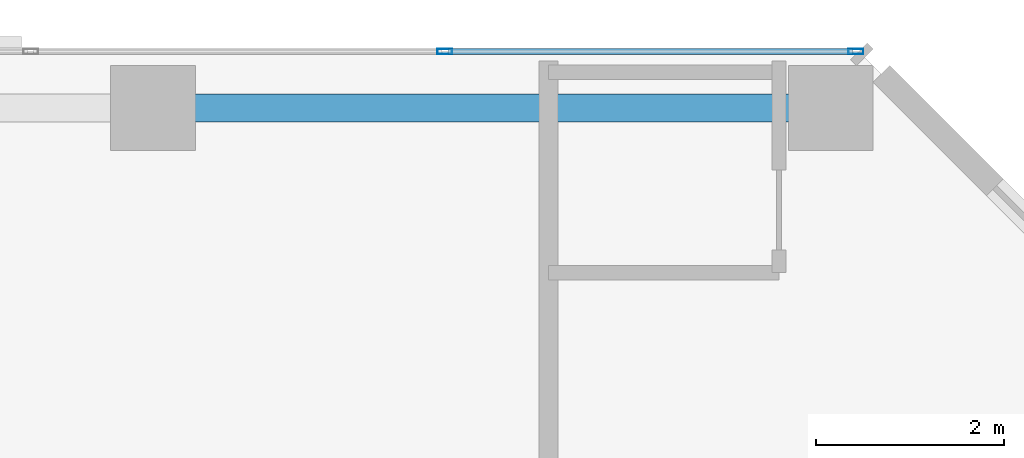
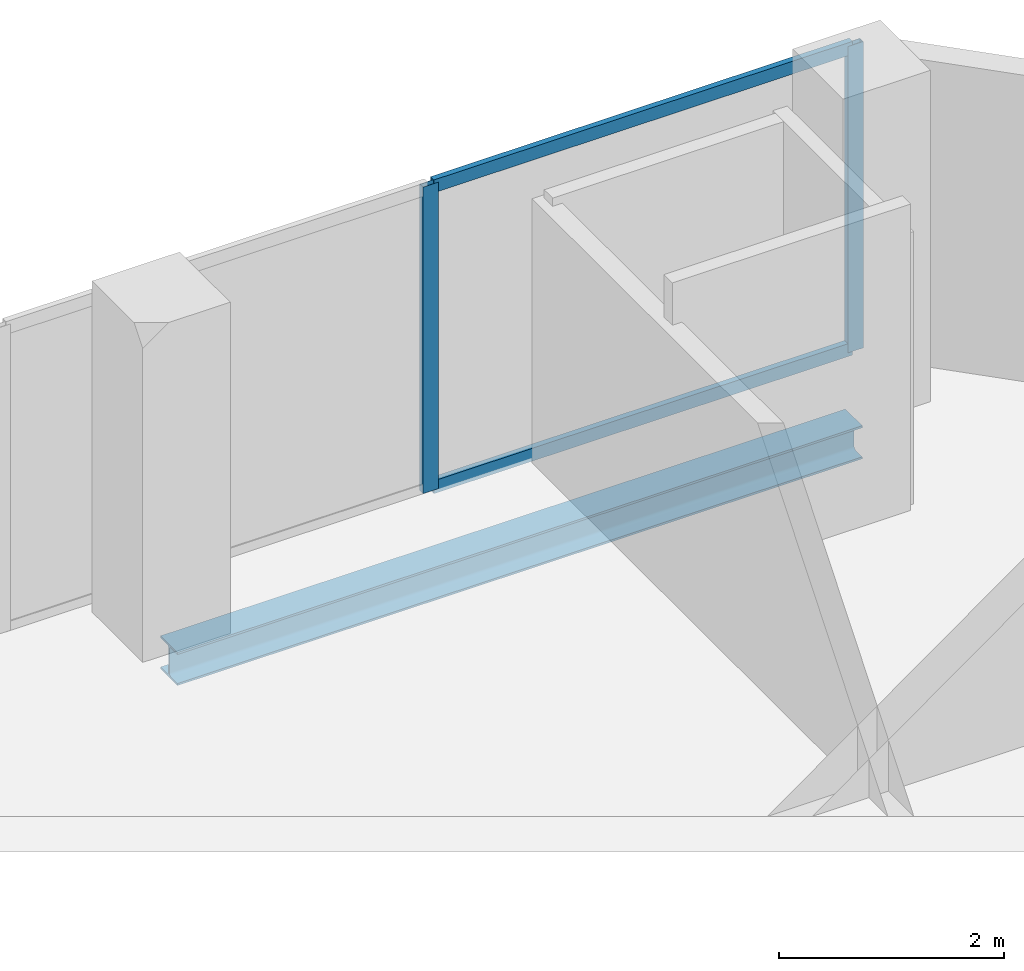
# One storey, part 25 of 34: 4 members, 1 beam, 1 element without a shape of its own.
"""IFC4 building model written with IfcOpenShell, lengths in metres."""

from ifc_helpers import new_model, si_unit, direction, frame, origin, origin_2d, place, context, subcontext, project, spatial, hollow_rectangle, i_section, extrude, material, layer, layer_set, material_profile, profile_set, type_object, element, aggregate, save


model = new_model("IFC4")

# Units and contexts
model_context = context("Model", 3, precision=1e-05, world=origin(), true_north=direction((0.0, 1.0)))
body_context = subcontext(model_context, "Body", "Model", "MODEL_VIEW")
ifc_project = project(units=[si_unit("LENGTHUNIT", "METRE"), si_unit("AREAUNIT", "SQUARE_METRE"), si_unit("VOLUMEUNIT", "CUBIC_METRE"), si_unit("PLANEANGLEUNIT", "RADIAN"), si_unit("MASSUNIT", "GRAM", prefix="KILO")], contexts=[model_context])

# Site, building, storey
site_placement = place(None, origin())
site = spatial("IfcSite", under=ifc_project, at=site_placement, CompositionType="ELEMENT")
building_placement = place(site_placement, origin())
building = spatial("IfcBuilding", under=site, at=building_placement, Name="Catumbela Crestline Tower", CompositionType="ELEMENT")
storey_placement = place(building_placement, frame((0.0, 0.0, 111.6)))
storey = spatial("IfcBuildingStorey", under=building, at=storey_placement, Name="L28", CompositionType="ELEMENT", Elevation=111.6)

# Curtain wall, members
ifc_material_1 = material(Name="Aluminium alloy AW-6060-T66", Category="aluminium")
ifc_layer = layer(ifc_material_1, 0.18, Name="Aluminium alloy AW-6060-T66")
ifc_layer_set = layer_set([ifc_layer], Name="Aluminium alloy AW-6060-T66")
curtain_wall_type = type_object("IfcCurtainWallType", Name="CWU-Z2", PredefinedType="USERDEFINED", material=ifc_layer_set)
curtain_wall_placement = place(storey_placement, origin())
curtain_wall = element("IfcCurtainWall", 1, at=curtain_wall_placement, inside=storey, type_object=curtain_wall_type, Name="L28 Unitised Curtain Wall CW-L28-E7S1", ObjectType="UNITISED", PredefinedType="USERDEFINED")
ifc_material_profile_1 = material_profile(ifc_material_1, hollow_rectangle(XDim=0.06, YDim=0.16, WallThickness=0.004, at=origin_2d()), Name="ALU 160x60x4")
ifc_profile_set_1 = profile_set([ifc_material_profile_1], Name="Aluminium alloy AW-6060-T66")
member_type_1 = type_object("IfcMemberType", Name="MUL-160X60", PredefinedType="MULLION", material=ifc_profile_set_1)
member_1_placement = place(storey_placement, frame((47.4675, 48.0, 0.0), z_axis=(0.0, 0.0, 1.0), x_axis=(0.0, -1.0, 0.0)))
member_1 = element("IfcMember", 2, at=member_1_placement, type_object=member_type_1, Name="CWU-Z2 mullion 1", PredefinedType="MULLION", context=body_context, shape_type="SweptSolid", body=[
    extrude(hollow_rectangle(XDim=0.06, YDim=0.16, WallThickness=0.004, at=origin_2d()), origin(), (0.0, 0.0, 1.0), 3.33),
])
member_2_placement = place(storey_placement, frame((43.1, 48.0, 0.0), z_axis=(0.0, 0.0, 1.0), x_axis=(0.0, -1.0, 0.0)))
member_2 = element("IfcMember", 3, at=member_2_placement, type_object=member_type_1, Name="CWU-Z2 mullion 2", PredefinedType="MULLION", context=body_context, shape_type="SweptSolid", body=[
    extrude(hollow_rectangle(XDim=0.06, YDim=0.16, WallThickness=0.004, at=origin_2d()), origin(), (0.0, 0.0, 1.0), 3.33),
])

# Beam
ifc_material_2 = material(Name="Structural steel S355J2", Category="steel")
ifc_material_profile_2 = material_profile(ifc_material_2, i_section(OverallWidth=0.3, OverallDepth=0.36, WebThickness=0.0125, FlangeThickness=0.0225, FilletRadius=0.027, at=origin_2d()), Name="HEB 360")
ifc_profile_set_2 = profile_set([ifc_material_profile_2], Name="Structural steel S355J2")
beam_type = type_object("IfcBeamType", Name="BS-HEB360", PredefinedType="SPANDREL", material=ifc_profile_set_2)
beam_placement = place(storey_placement, frame((40.08, 47.4, -0.44), z_axis=(1.0, 0.0, 0.0), x_axis=(0.0, 1.0, 0.0)))
element("IfcBeam", 4, at=beam_placement, inside=storey, type_object=beam_type, Name="L28 Spandrel SP-L28-NF21", PredefinedType="SPANDREL", context=body_context, shape_type="SweptSolid", body=[
    extrude(i_section(OverallWidth=0.3, OverallDepth=0.36, WebThickness=0.0125, FlangeThickness=0.0225, FilletRadius=0.027, at=origin_2d()), origin(), (0.0, 0.0, 1.0), 7.04),
])

# Member
ifc_material_profile_3 = material_profile(ifc_material_1, hollow_rectangle(XDim=0.06, YDim=0.14, WallThickness=0.004, at=origin_2d()), Name="ALU 140x60x4")
ifc_profile_set_3 = profile_set([ifc_material_profile_3], Name="Aluminium alloy AW-6060-T66")
member_type_2 = type_object("IfcMemberType", Name="TRN-140X60", PredefinedType="USERDEFINED", material=ifc_profile_set_3)
member_3_placement = place(storey_placement, frame((47.435, 48.0, 0.03), z_axis=(-1.0, 0.0, 0.0), x_axis=(0.0, -1.0, 0.0)))
member_3 = element("IfcMember", 5, at=member_3_placement, type_object=member_type_2, Name="CWU-Z2 transom 1.1", ObjectType="TRANSOM", PredefinedType="USERDEFINED", context=body_context, shape_type="SweptSolid", body=[
    extrude(hollow_rectangle(XDim=0.06, YDim=0.14, WallThickness=0.004, at=origin_2d()), origin(), (0.0, 0.0, 1.0), 4.3025),
])

member_4_placement = place(storey_placement, frame((47.435, 48.0, 3.3), z_axis=(-1.0, 0.0, 0.0), x_axis=(0.0, -1.0, 0.0)))
member_4 = element("IfcMember", 6, at=member_4_placement, type_object=member_type_2, Name="CWU-Z2 transom 1.2", ObjectType="TRANSOM", PredefinedType="USERDEFINED", context=body_context, shape_type="SweptSolid", body=[
    extrude(hollow_rectangle(XDim=0.06, YDim=0.14, WallThickness=0.004, at=origin_2d()), origin(), (0.0, 0.0, 1.0), 4.3025),
])

aggregate(curtain_wall, [member_1, member_2, member_3, member_4])

save(model, "model.ifc")
